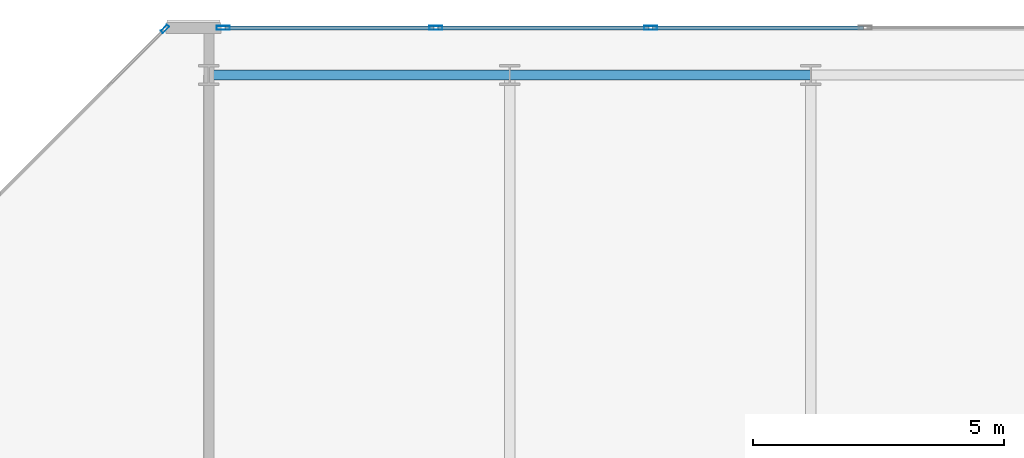
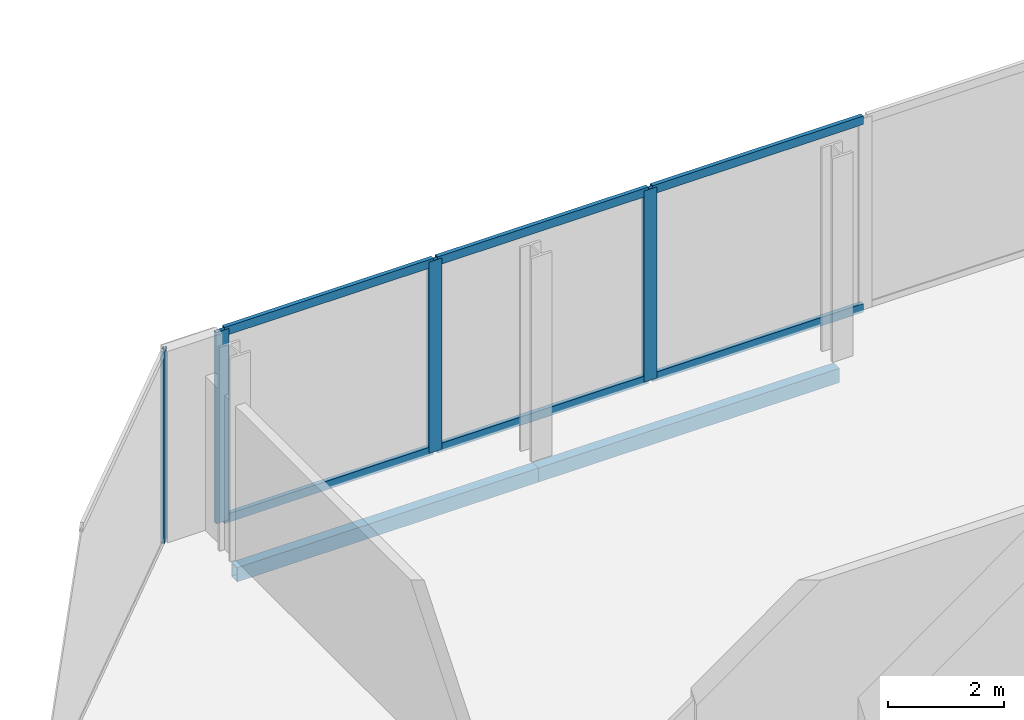
# One storey, part 10 of 16: 10 members, 2 beams, 2 elements without a shape of their own.
"""IFC4 building model written with IfcOpenShell, lengths in metres."""

from ifc_helpers import new_model, si_unit, direction, frame, origin, origin_2d, place, context, subcontext, project, spatial, hollow_rectangle, extrude, material, layer, layer_set, material_profile, profile_set, type_object, element, aggregate, save


model = new_model("IFC4")

# Units and contexts
model_context = context("Model", 3, precision=1e-05, world=origin(), true_north=direction((0.0, 1.0)))
body_context = subcontext(model_context, "Body", "Model", "MODEL_VIEW")
ifc_project = project(units=[si_unit("LENGTHUNIT", "METRE"), si_unit("AREAUNIT", "SQUARE_METRE"), si_unit("VOLUMEUNIT", "CUBIC_METRE"), si_unit("PLANEANGLEUNIT", "RADIAN"), si_unit("MASSUNIT", "GRAM", prefix="KILO")], contexts=[model_context])

# Site, building, storey
site_placement = place(None, origin())
site = spatial("IfcSite", under=ifc_project, at=site_placement, CompositionType="ELEMENT")
building_placement = place(site_placement, origin())
building = spatial("IfcBuilding", under=site, at=building_placement, Name="Tanjung Sevakor Pilgrim Tower", CompositionType="ELEMENT")
storey_placement = place(building_placement, frame((0.0, 0.0, 278.85009765625)))
storey = spatial("IfcBuildingStorey", under=building, at=storey_placement, Name="L78", CompositionType="ELEMENT", Elevation=278.85009765625)

# Beams
ifc_material_1 = material(Name="Steel S355J2", Category="steel")
ifc_material_profile_1 = material_profile(ifc_material_1, hollow_rectangle(XDim=0.199951171875, YDim=0.300048828125, WallThickness=0.012451171875, at=origin_2d()))
ifc_profile_set_1 = profile_set([ifc_material_profile_1], Name="Steel S355J2")
beam_type = type_object("IfcBeamType", Name="BM-B-SP3-RHS_300x200x12.5", PredefinedType="SPANDREL", material=ifc_profile_set_1)
for number, where, z_axis, x_axis, name in (
    (1, (72.0, 53.949951171875, -0.41015625), (1.0, 0.0, 0.0), (0.0, 1.0, 0.0), "L78 Spandrel EAST N-02"),
    (2, (78.0, 53.949951171875, -0.41015625), (1.0, 0.0, 0.0), (0.0, 1.0, 0.0), "L78 Spandrel EAST N-04"),
):
    element("IfcBeam", number, at=place(storey_placement, frame(where, z_axis=z_axis, x_axis=x_axis)), inside=storey, type_object=beam_type, Name=name, PredefinedType="SPANDREL", context=body_context, shape_type="SweptSolid", body=[
        extrude(hollow_rectangle(XDim=0.199951171875, YDim=0.300048828125, WallThickness=0.012451171875, at=origin_2d()), origin(), (0.0, 0.0, 1.0), 6.0),
    ])

# Curtain wall, member
ifc_material_2 = material(Name="Aluminium 6063-T6 and Low-E Glass", Category="aluminium")
ifc_layer_1 = layer(ifc_material_2, 0.179931640625)
ifc_layer_set_1 = layer_set([ifc_layer_1], Name="CW-SYS-CHAM")
curtain_wall_type_1 = type_object("IfcCurtainWallType", Name="CW-SYS-CHAM", PredefinedType="NOTDEFINED", material=ifc_layer_set_1)
curtain_wall_1_placement = place(storey_placement, origin())
curtain_wall_1 = element("IfcCurtainWall", 3, at=curtain_wall_1_placement, inside=storey, type_object=curtain_wall_type_1, Name="L78 Curtain Wall CW-CHM-L78-EAST-5", PredefinedType="NOTDEFINED")
ifc_material_3 = material(Name="Aluminium 6063-T6", Category="aluminium")
ifc_material_profile_2 = material_profile(ifc_material_3, hollow_rectangle(XDim=0.06494140625, YDim=0.179931640625, WallThickness=0.00390625, at=origin_2d()))
ifc_profile_set_2 = profile_set([ifc_material_profile_2], Name="Aluminium 6063-T6")
member_type_1 = type_object("IfcMemberType", Name="TYPE-CWM-1", PredefinedType="MULLION", material=ifc_profile_set_2)
member_1_placement = place(storey_placement, frame((71.12255859375, 54.866943359375, 0.0), z_axis=(0.0, 0.0, 1.0), x_axis=(0.707106781187, -0.707106781187, 0.0)))
member_1 = element("IfcMember", 4, at=member_1_placement, type_object=member_type_1, Name="CW-CHM mullion 1", PredefinedType="MULLION", context=body_context, shape_type="SweptSolid", body=[
    extrude(hollow_rectangle(XDim=0.06494140625, YDim=0.179931640625, WallThickness=0.00390625, at=origin_2d()), origin(), (0.0, 0.0, 1.0), 4.02978515625),
])
aggregate(curtain_wall_1, [member_1])

# Curtain wall, members
ifc_material_4 = material(Name="Aluminium 6063-T6 and Low-E Glass", Category="aluminium")
ifc_layer_2 = layer(ifc_material_4, 0.219970703125)
ifc_layer_set_2 = layer_set([ifc_layer_2], Name="CW-SYS-CRNE")
curtain_wall_type_2 = type_object("IfcCurtainWallType", Name="CW-SYS-CRNE", PredefinedType="NOTDEFINED", material=ifc_layer_set_2)
curtain_wall_2_placement = place(storey_placement, origin())
curtain_wall_2 = element("IfcCurtainWall", 5, at=curtain_wall_2_placement, inside=storey, type_object=curtain_wall_type_2, Name="L78 Curtain Wall CW-CRN-L78-EAST-4-1", PredefinedType="NOTDEFINED")
ifc_material_5 = material(Name="Aluminium 6063-T6", Category="aluminium")
ifc_material_profile_3 = material_profile(ifc_material_5, hollow_rectangle(XDim=0.080078125, YDim=0.260009765625, WallThickness=0.0048828125, at=origin_2d()))
ifc_profile_set_3 = profile_set([ifc_material_profile_3], Name="Aluminium 6063-T6")
member_type_2 = type_object("IfcMemberType", Name="TYPE-CWM-3", PredefinedType="MULLION", material=ifc_profile_set_3)
member_2_placement = place(storey_placement, frame((80.80908203125, 54.889892578125, 0.0), z_axis=(0.0, 0.0, 1.0), x_axis=(0.0, -1.0, 0.0)))
member_2 = element("IfcMember", 6, at=member_2_placement, type_object=member_type_2, Name="CW-CRE mullion 4", PredefinedType="MULLION", context=body_context, shape_type="SweptSolid", body=[
    extrude(hollow_rectangle(XDim=0.080078125, YDim=0.260009765625, WallThickness=0.0048828125, at=origin_2d()), origin(), (0.0, 0.0, 1.0), 4.02978515625),
])
member_3_placement = place(storey_placement, frame((76.52734375, 54.889892578125, 0.0), z_axis=(0.0, 0.0, 1.0), x_axis=(0.0, -1.0, 0.0)))
member_3 = element("IfcMember", 7, at=member_3_placement, type_object=member_type_2, Name="CW-CRE mullion 5", PredefinedType="MULLION", context=body_context, shape_type="SweptSolid", body=[
    extrude(hollow_rectangle(XDim=0.080078125, YDim=0.260009765625, WallThickness=0.0048828125, at=origin_2d()), origin(), (0.0, 0.0, 1.0), 4.02978515625),
])
member_4_placement = place(storey_placement, frame((72.28564453125, 54.889892578125, 0.0), z_axis=(0.0, 0.0, 1.0), x_axis=(0.0, -1.0, 0.0)))
member_4 = element("IfcMember", 8, at=member_4_placement, type_object=member_type_2, Name="CW-CRE mullion 6", PredefinedType="MULLION", context=body_context, shape_type="SweptSolid", body=[
    extrude(hollow_rectangle(XDim=0.080078125, YDim=0.260009765625, WallThickness=0.0048828125, at=origin_2d()), origin(), (0.0, 0.0, 1.0), 4.02978515625),
])
ifc_material_6 = material(Name="Aluminium 6063-T6", Category="aluminium")
ifc_material_profile_4 = material_profile(ifc_material_6, hollow_rectangle(XDim=0.080078125, YDim=0.179931640625, WallThickness=0.0048828125, at=origin_2d()))
ifc_profile_set_4 = profile_set([ifc_material_profile_4], Name="Aluminium 6063-T6")
member_type_3 = type_object("IfcMemberType", Name="TYPE-CWT-3", PredefinedType="USERDEFINED", material=ifc_profile_set_4)
member_5_placement = place(storey_placement, frame((85.05078125, 54.889892578125, 0.039794921875), z_axis=(-1.0, 0.0, 0.0), x_axis=(0.0, -1.0, 0.0)))
member_5 = element("IfcMember", 9, at=member_5_placement, type_object=member_type_3, Name="CW-CRE transom 3.1", ObjectType="TRANSOM", PredefinedType="USERDEFINED", context=body_context, shape_type="SweptSolid", body=[
    extrude(hollow_rectangle(XDim=0.080078125, YDim=0.179931640625, WallThickness=0.0048828125, at=origin_2d()), origin(), (0.0, 0.0, 1.0), 4.20166015625),
])
member_6_placement = place(storey_placement, frame((85.05078125, 54.889892578125, 3.989990234375), z_axis=(-1.0, 0.0, 0.0), x_axis=(0.0, -1.0, 0.0)))
member_6 = element("IfcMember", 10, at=member_6_placement, type_object=member_type_3, Name="CW-CRE transom 3.2", ObjectType="TRANSOM", PredefinedType="USERDEFINED", context=body_context, shape_type="SweptSolid", body=[
    extrude(hollow_rectangle(XDim=0.080078125, YDim=0.179931640625, WallThickness=0.0048828125, at=origin_2d()), origin(), (0.0, 0.0, 1.0), 4.20166015625),
])
member_7_placement = place(storey_placement, frame((80.76904296875, 54.889892578125, 0.039794921875), z_axis=(-1.0, 0.0, 0.0), x_axis=(0.0, -1.0, 0.0)))
member_7 = element("IfcMember", 11, at=member_7_placement, type_object=member_type_3, Name="CW-CRE transom 4.1", ObjectType="TRANSOM", PredefinedType="USERDEFINED", context=body_context, shape_type="SweptSolid", body=[
    extrude(hollow_rectangle(XDim=0.080078125, YDim=0.179931640625, WallThickness=0.0048828125, at=origin_2d()), origin(), (0.0, 0.0, 1.0), 4.20166015625),
])
member_8_placement = place(storey_placement, frame((80.76904296875, 54.889892578125, 3.989990234375), z_axis=(-1.0, 0.0, 0.0), x_axis=(0.0, -1.0, 0.0)))
member_8 = element("IfcMember", 12, at=member_8_placement, type_object=member_type_3, Name="CW-CRE transom 4.2", ObjectType="TRANSOM", PredefinedType="USERDEFINED", context=body_context, shape_type="SweptSolid", body=[
    extrude(hollow_rectangle(XDim=0.080078125, YDim=0.179931640625, WallThickness=0.0048828125, at=origin_2d()), origin(), (0.0, 0.0, 1.0), 4.20166015625),
])
member_9_placement = place(storey_placement, frame((76.4873046875, 54.889892578125, 0.039794921875), z_axis=(-1.0, 0.0, 0.0), x_axis=(0.0, -1.0, 0.0)))
member_9 = element("IfcMember", 13, at=member_9_placement, type_object=member_type_3, Name="CW-CRE transom 5.1", ObjectType="TRANSOM", PredefinedType="USERDEFINED", context=body_context, shape_type="SweptSolid", body=[
    extrude(hollow_rectangle(XDim=0.080078125, YDim=0.179931640625, WallThickness=0.0048828125, at=origin_2d()), origin(), (0.0, 0.0, 1.0), 4.16162109375),
])
member_10_placement = place(storey_placement, frame((76.4873046875, 54.889892578125, 3.989990234375), z_axis=(-1.0, 0.0, 0.0), x_axis=(0.0, -1.0, 0.0)))
member_10 = element("IfcMember", 14, at=member_10_placement, type_object=member_type_3, Name="CW-CRE transom 5.2", ObjectType="TRANSOM", PredefinedType="USERDEFINED", context=body_context, shape_type="SweptSolid", body=[
    extrude(hollow_rectangle(XDim=0.080078125, YDim=0.179931640625, WallThickness=0.0048828125, at=origin_2d()), origin(), (0.0, 0.0, 1.0), 4.16162109375),
])
aggregate(curtain_wall_2, [member_2, member_3, member_4, member_5, member_6, member_7, member_8, member_9, member_10])

save(model, "model.ifc")
